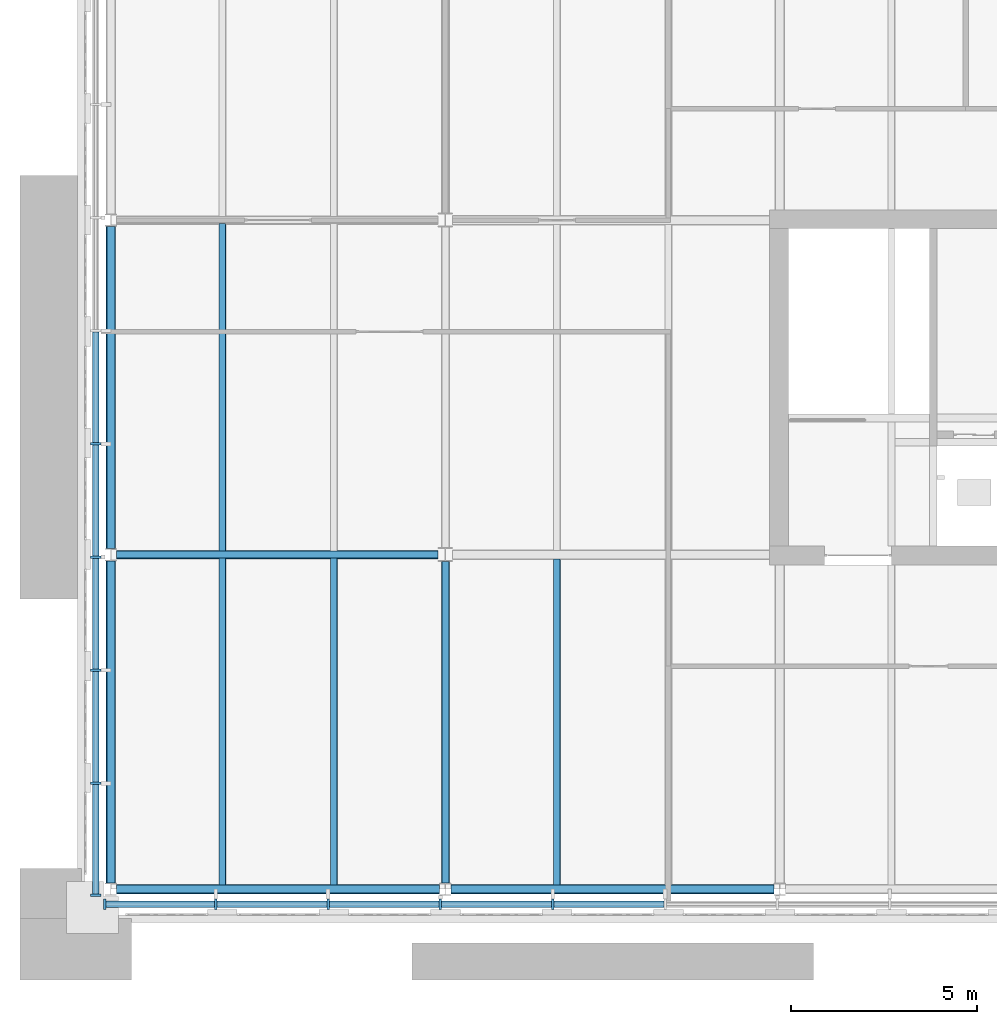
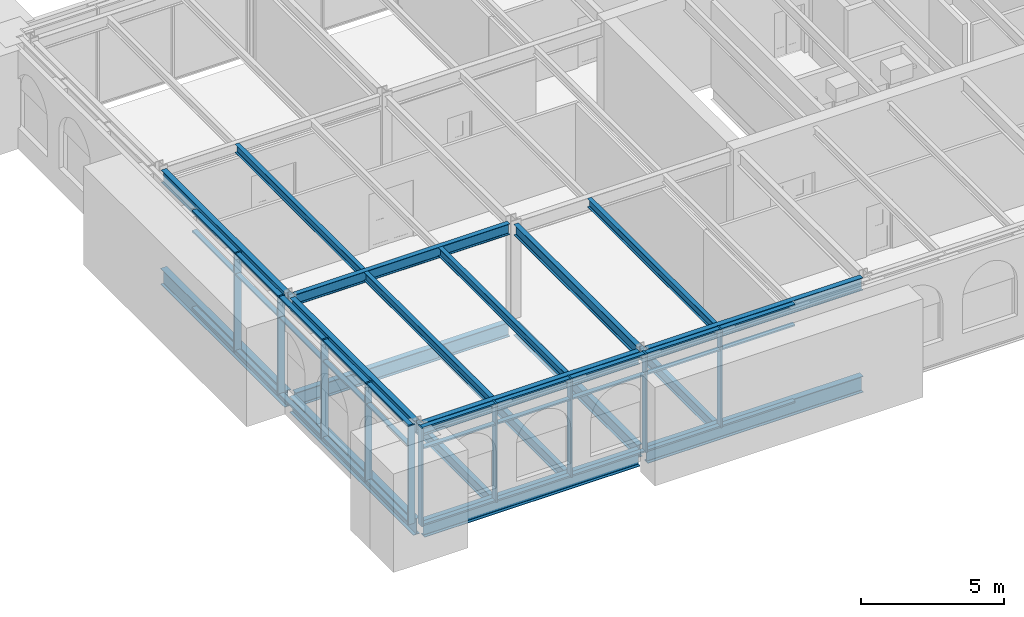
# One storey, part 3 of 24: 40 members, 20 beams, 2 elements without a shape of their own.
"""IFC4 building model written with IfcOpenShell, lengths in metres."""

from ifc_helpers import new_model, si_unit, direction, frame, origin, origin_2d, place, context, subcontext, project, spatial, rectangle, i_section, extrude, material, material_profile, profile_set, type_object, element, aggregate, save


model = new_model("IFC4")

# Units and contexts
model_context = context("Model", 3, precision=1e-05, world=origin(), true_north=direction((0.0, 1.0)))
body_context = subcontext(model_context, "Body", "Model", "MODEL_VIEW")
ifc_project = project(units=[si_unit("LENGTHUNIT", "METRE"), si_unit("AREAUNIT", "SQUARE_METRE"), si_unit("VOLUMEUNIT", "CUBIC_METRE"), si_unit("PLANEANGLEUNIT", "RADIAN"), si_unit("MASSUNIT", "GRAM", prefix="KILO")], contexts=[model_context])

# Site, building, storey
site_placement = place(None, origin())
site = spatial("IfcSite", under=ifc_project, at=site_placement, CompositionType="ELEMENT")
building_placement = place(site_placement, origin())
building = spatial("IfcBuilding", under=site, at=building_placement, Name="Baradari Gate Terminus", CompositionType="ELEMENT")
storey_placement = place(building_placement, frame((0.0, 0.0, 32.699951171875)))
storey = spatial("IfcBuildingStorey", under=building, at=storey_placement, Name="L07", CompositionType="ELEMENT", Elevation=32.699951171875)

# Curtain wall, members
ifc_material_1 = material(Name="Aluminium 6063-T6", Category="aluminium")
curtain_wall_type = type_object("IfcCurtainWallType", Name="Curtain wall CW-12 block arcade floors, L06-L07", PredefinedType="NOTDEFINED", material=ifc_material_1)
curtain_wall_1_placement = place(storey_placement, origin())
curtain_wall_1 = element("IfcCurtainWall", 1, at=curtain_wall_1_placement, inside=storey, type_object=curtain_wall_type, Name="Curtain wall CW-12 Operations block S face L07", PredefinedType="NOTDEFINED")
ifc_material_2 = material(Name="Aluminium 6063-T6", Category="aluminium")
ifc_material_profile_1 = material_profile(ifc_material_2, rectangle(XDim=0.27490234375, YDim=0.06494140625, at=origin_2d()), Name="CM-12 65X275")
ifc_profile_set_1 = profile_set([ifc_material_profile_1], Name="Aluminium 6063-T6")
member_type_1 = type_object("IfcMemberType", Name="Curtain wall mullion CM-12 65x275", PredefinedType="MULLION", material=ifc_profile_set_1)
member_1_placement = place(storey_placement, frame((8.83251953125, 116.592529296875, 0.0), z_axis=(0.0, 0.0, 1.0), x_axis=(0.0, 1.0, 0.0)))
member_1 = element("IfcMember", 2, at=member_1_placement, type_object=member_type_1, Name="CW-12 mullion 1", PredefinedType="MULLION", context=body_context, shape_type="SweptSolid", body=[
    extrude(rectangle(XDim=0.27490234375, YDim=0.06494140625, at=origin_2d()), origin(), (0.0, 0.0, 1.0), 4.199951171875),
])
member_2_placement = place(storey_placement, frame((11.822265625, 116.592529296875, 0.0), z_axis=(0.0, 0.0, 1.0), x_axis=(0.0, 1.0, 0.0)))
member_2 = element("IfcMember", 3, at=member_2_placement, type_object=member_type_1, Name="CW-12 mullion 2", PredefinedType="MULLION", context=body_context, shape_type="SweptSolid", body=[
    extrude(rectangle(XDim=0.27490234375, YDim=0.06494140625, at=origin_2d()), origin(), (0.0, 0.0, 1.0), 4.199951171875),
])
member_3_placement = place(storey_placement, frame((14.844482421875, 116.592529296875, 0.0), z_axis=(0.0, 0.0, 1.0), x_axis=(0.0, 1.0, 0.0)))
member_3 = element("IfcMember", 4, at=member_3_placement, type_object=member_type_1, Name="CW-12 mullion 3", PredefinedType="MULLION", context=body_context, shape_type="SweptSolid", body=[
    extrude(rectangle(XDim=0.27490234375, YDim=0.06494140625, at=origin_2d()), origin(), (0.0, 0.0, 1.0), 4.199951171875),
])
member_4_placement = place(storey_placement, frame((17.86669921875, 116.592529296875, 0.0), z_axis=(0.0, 0.0, 1.0), x_axis=(0.0, 1.0, 0.0)))
member_4 = element("IfcMember", 5, at=member_4_placement, type_object=member_type_1, Name="CW-12 mullion 4", PredefinedType="MULLION", context=body_context, shape_type="SweptSolid", body=[
    extrude(rectangle(XDim=0.27490234375, YDim=0.06494140625, at=origin_2d()), origin(), (0.0, 0.0, 1.0), 4.199951171875),
])
member_5_placement = place(storey_placement, frame((20.888916015625, 116.592529296875, 0.0), z_axis=(0.0, 0.0, 1.0), x_axis=(0.0, 1.0, 0.0)))
member_5 = element("IfcMember", 6, at=member_5_placement, type_object=member_type_1, Name="CW-12 mullion 5", PredefinedType="MULLION", context=body_context, shape_type="SweptSolid", body=[
    extrude(rectangle(XDim=0.27490234375, YDim=0.06494140625, at=origin_2d()), origin(), (0.0, 0.0, 1.0), 4.199951171875),
])

curtain_wall_2_placement = place(storey_placement, origin())
curtain_wall_2 = element("IfcCurtainWall", 7, at=curtain_wall_2_placement, inside=storey, type_object=curtain_wall_type, Name="Curtain wall CW-12 Operations block W face L07", PredefinedType="NOTDEFINED")
member_6_placement = place(storey_placement, frame((8.592529296875, 128.977783203125, 0.0), z_axis=(0.0, 0.0, 1.0), x_axis=(1.0, 0.0, 0.0)))
member_6 = element("IfcMember", 8, at=member_6_placement, type_object=member_type_1, Name="CW-12 mullion 6", PredefinedType="MULLION", context=body_context, shape_type="SweptSolid", body=[
    extrude(rectangle(XDim=0.27490234375, YDim=0.06494140625, at=origin_2d()), origin(), (0.0, 0.0, 1.0), 4.199951171875),
])
member_7_placement = place(storey_placement, frame((8.592529296875, 125.933349609375, 0.0), z_axis=(0.0, 0.0, 1.0), x_axis=(1.0, 0.0, 0.0)))
member_7 = element("IfcMember", 9, at=member_7_placement, type_object=member_type_1, Name="CW-12 mullion 7", PredefinedType="MULLION", context=body_context, shape_type="SweptSolid", body=[
    extrude(rectangle(XDim=0.27490234375, YDim=0.06494140625, at=origin_2d()), origin(), (0.0, 0.0, 1.0), 4.199951171875),
])
member_8_placement = place(storey_placement, frame((8.592529296875, 122.888916015625, 0.0), z_axis=(0.0, 0.0, 1.0), x_axis=(1.0, 0.0, 0.0)))
member_8 = element("IfcMember", 10, at=member_8_placement, type_object=member_type_1, Name="CW-12 mullion 8", PredefinedType="MULLION", context=body_context, shape_type="SweptSolid", body=[
    extrude(rectangle(XDim=0.27490234375, YDim=0.06494140625, at=origin_2d()), origin(), (0.0, 0.0, 1.0), 4.199951171875),
])
member_9_placement = place(storey_placement, frame((8.592529296875, 119.844482421875, 0.0), z_axis=(0.0, 0.0, 1.0), x_axis=(1.0, 0.0, 0.0)))
member_9 = element("IfcMember", 11, at=member_9_placement, type_object=member_type_1, Name="CW-12 mullion 9", PredefinedType="MULLION", context=body_context, shape_type="SweptSolid", body=[
    extrude(rectangle(XDim=0.27490234375, YDim=0.06494140625, at=origin_2d()), origin(), (0.0, 0.0, 1.0), 4.199951171875),
])
member_10_placement = place(storey_placement, frame((8.592529296875, 116.83251953125, 0.0), z_axis=(0.0, 0.0, 1.0), x_axis=(1.0, 0.0, 0.0)))
member_10 = element("IfcMember", 12, at=member_10_placement, type_object=member_type_1, Name="CW-12 mullion 10", PredefinedType="MULLION", context=body_context, shape_type="SweptSolid", body=[
    extrude(rectangle(XDim=0.27490234375, YDim=0.06494140625, at=origin_2d()), origin(), (0.0, 0.0, 1.0), 4.199951171875),
])

# Member
ifc_material_3 = material(Name="Aluminium 6063-T6", Category="aluminium")
ifc_material_profile_2 = material_profile(ifc_material_3, rectangle(XDim=0.18505859375, YDim=0.06494140625, at=origin_2d()), Name="CT-12 65X185")
ifc_profile_set_2 = profile_set([ifc_material_profile_2], Name="Aluminium 6063-T6")
member_type_2 = type_object("IfcMemberType", Name="Curtain wall transom CT-12 65x185", PredefinedType="USERDEFINED", material=ifc_profile_set_2)
member_11_placement = place(storey_placement, frame((8.864990234375, 116.592529296875, 0.032470703125), z_axis=(1.0, 0.0, 0.0), x_axis=(0.0, 1.0, 0.0)))
member_11 = element("IfcMember", 13, at=member_11_placement, type_object=member_type_2, Name="CW-12 transom 1.1", ObjectType="TRANSOM", PredefinedType="USERDEFINED", context=body_context, shape_type="SweptSolid", body=[
    extrude(rectangle(XDim=0.18505859375, YDim=0.06494140625, at=origin_2d()), origin(), (0.0, 0.0, 1.0), 2.9248046875),
])

member_12_placement = place(storey_placement, frame((8.864990234375, 116.592529296875, 3.300048828125), z_axis=(1.0, 0.0, 0.0), x_axis=(0.0, 1.0, 0.0)))
member_12 = element("IfcMember", 14, at=member_12_placement, type_object=member_type_2, Name="CW-12 transom 1.2", ObjectType="TRANSOM", PredefinedType="USERDEFINED", context=body_context, shape_type="SweptSolid", body=[
    extrude(rectangle(XDim=0.18505859375, YDim=0.06494140625, at=origin_2d()), origin(), (0.0, 0.0, 1.0), 2.9248046875),
])

member_13_placement = place(storey_placement, frame((8.864990234375, 116.592529296875, 4.16748046875), z_axis=(1.0, 0.0, 0.0), x_axis=(0.0, 1.0, 0.0)))
member_13 = element("IfcMember", 15, at=member_13_placement, type_object=member_type_2, Name="CW-12 transom 1.3", ObjectType="TRANSOM", PredefinedType="USERDEFINED", context=body_context, shape_type="SweptSolid", body=[
    extrude(rectangle(XDim=0.18505859375, YDim=0.06494140625, at=origin_2d()), origin(), (0.0, 0.0, 1.0), 2.9248046875),
])

member_14_placement = place(storey_placement, frame((11.854736328125, 116.592529296875, 0.032470703125), z_axis=(1.0, 0.0, 0.0), x_axis=(0.0, 1.0, 0.0)))
member_14 = element("IfcMember", 16, at=member_14_placement, type_object=member_type_2, Name="CW-12 transom 2.1", ObjectType="TRANSOM", PredefinedType="USERDEFINED", context=body_context, shape_type="SweptSolid", body=[
    extrude(rectangle(XDim=0.18505859375, YDim=0.06494140625, at=origin_2d()), origin(), (0.0, 0.0, 1.0), 2.957275390625),
])

member_15_placement = place(storey_placement, frame((11.854736328125, 116.592529296875, 3.300048828125), z_axis=(1.0, 0.0, 0.0), x_axis=(0.0, 1.0, 0.0)))
member_15 = element("IfcMember", 17, at=member_15_placement, type_object=member_type_2, Name="CW-12 transom 2.2", ObjectType="TRANSOM", PredefinedType="USERDEFINED", context=body_context, shape_type="SweptSolid", body=[
    extrude(rectangle(XDim=0.18505859375, YDim=0.06494140625, at=origin_2d()), origin(), (0.0, 0.0, 1.0), 2.957275390625),
])

member_16_placement = place(storey_placement, frame((11.854736328125, 116.592529296875, 4.16748046875), z_axis=(1.0, 0.0, 0.0), x_axis=(0.0, 1.0, 0.0)))
member_16 = element("IfcMember", 18, at=member_16_placement, type_object=member_type_2, Name="CW-12 transom 2.3", ObjectType="TRANSOM", PredefinedType="USERDEFINED", context=body_context, shape_type="SweptSolid", body=[
    extrude(rectangle(XDim=0.18505859375, YDim=0.06494140625, at=origin_2d()), origin(), (0.0, 0.0, 1.0), 2.957275390625),
])

member_17_placement = place(storey_placement, frame((14.876953125, 116.592529296875, 0.032470703125), z_axis=(1.0, 0.0, 0.0), x_axis=(0.0, 1.0, 0.0)))
member_17 = element("IfcMember", 19, at=member_17_placement, type_object=member_type_2, Name="CW-12 transom 3.1", ObjectType="TRANSOM", PredefinedType="USERDEFINED", context=body_context, shape_type="SweptSolid", body=[
    extrude(rectangle(XDim=0.18505859375, YDim=0.06494140625, at=origin_2d()), origin(), (0.0, 0.0, 1.0), 2.957275390625),
])

member_18_placement = place(storey_placement, frame((14.876953125, 116.592529296875, 3.300048828125), z_axis=(1.0, 0.0, 0.0), x_axis=(0.0, 1.0, 0.0)))
member_18 = element("IfcMember", 20, at=member_18_placement, type_object=member_type_2, Name="CW-12 transom 3.2", ObjectType="TRANSOM", PredefinedType="USERDEFINED", context=body_context, shape_type="SweptSolid", body=[
    extrude(rectangle(XDim=0.18505859375, YDim=0.06494140625, at=origin_2d()), origin(), (0.0, 0.0, 1.0), 2.957275390625),
])

member_19_placement = place(storey_placement, frame((14.876953125, 116.592529296875, 4.16748046875), z_axis=(1.0, 0.0, 0.0), x_axis=(0.0, 1.0, 0.0)))
member_19 = element("IfcMember", 21, at=member_19_placement, type_object=member_type_2, Name="CW-12 transom 3.3", ObjectType="TRANSOM", PredefinedType="USERDEFINED", context=body_context, shape_type="SweptSolid", body=[
    extrude(rectangle(XDim=0.18505859375, YDim=0.06494140625, at=origin_2d()), origin(), (0.0, 0.0, 1.0), 2.957275390625),
])

member_20_placement = place(storey_placement, frame((17.899169921875, 116.592529296875, 0.032470703125), z_axis=(1.0, 0.0, 0.0), x_axis=(0.0, 1.0, 0.0)))
member_20 = element("IfcMember", 22, at=member_20_placement, type_object=member_type_2, Name="CW-12 transom 4.1", ObjectType="TRANSOM", PredefinedType="USERDEFINED", context=body_context, shape_type="SweptSolid", body=[
    extrude(rectangle(XDim=0.18505859375, YDim=0.06494140625, at=origin_2d()), origin(), (0.0, 0.0, 1.0), 2.957275390625),
])

member_21_placement = place(storey_placement, frame((17.899169921875, 116.592529296875, 3.300048828125), z_axis=(1.0, 0.0, 0.0), x_axis=(0.0, 1.0, 0.0)))
member_21 = element("IfcMember", 23, at=member_21_placement, type_object=member_type_2, Name="CW-12 transom 4.2", ObjectType="TRANSOM", PredefinedType="USERDEFINED", context=body_context, shape_type="SweptSolid", body=[
    extrude(rectangle(XDim=0.18505859375, YDim=0.06494140625, at=origin_2d()), origin(), (0.0, 0.0, 1.0), 2.957275390625),
])

member_22_placement = place(storey_placement, frame((17.899169921875, 116.592529296875, 4.16748046875), z_axis=(1.0, 0.0, 0.0), x_axis=(0.0, 1.0, 0.0)))
member_22 = element("IfcMember", 24, at=member_22_placement, type_object=member_type_2, Name="CW-12 transom 4.3", ObjectType="TRANSOM", PredefinedType="USERDEFINED", context=body_context, shape_type="SweptSolid", body=[
    extrude(rectangle(XDim=0.18505859375, YDim=0.06494140625, at=origin_2d()), origin(), (0.0, 0.0, 1.0), 2.957275390625),
])

member_23_placement = place(storey_placement, frame((20.92138671875, 116.592529296875, 0.032470703125), z_axis=(1.0, 0.0, 0.0), x_axis=(0.0, 1.0, 0.0)))
member_23 = element("IfcMember", 25, at=member_23_placement, type_object=member_type_2, Name="CW-12 transom 5.1", ObjectType="TRANSOM", PredefinedType="USERDEFINED", context=body_context, shape_type="SweptSolid", body=[
    extrude(rectangle(XDim=0.18505859375, YDim=0.06494140625, at=origin_2d()), origin(), (0.0, 0.0, 1.0), 2.957275390625),
])

member_24_placement = place(storey_placement, frame((20.92138671875, 116.592529296875, 3.300048828125), z_axis=(1.0, 0.0, 0.0), x_axis=(0.0, 1.0, 0.0)))
member_24 = element("IfcMember", 26, at=member_24_placement, type_object=member_type_2, Name="CW-12 transom 5.2", ObjectType="TRANSOM", PredefinedType="USERDEFINED", context=body_context, shape_type="SweptSolid", body=[
    extrude(rectangle(XDim=0.18505859375, YDim=0.06494140625, at=origin_2d()), origin(), (0.0, 0.0, 1.0), 2.957275390625),
])

member_25_placement = place(storey_placement, frame((20.92138671875, 116.592529296875, 4.16748046875), z_axis=(1.0, 0.0, 0.0), x_axis=(0.0, 1.0, 0.0)))
member_25 = element("IfcMember", 27, at=member_25_placement, type_object=member_type_2, Name="CW-12 transom 5.3", ObjectType="TRANSOM", PredefinedType="USERDEFINED", context=body_context, shape_type="SweptSolid", body=[
    extrude(rectangle(XDim=0.18505859375, YDim=0.06494140625, at=origin_2d()), origin(), (0.0, 0.0, 1.0), 2.957275390625),
])

aggregate(curtain_wall_1, [member_1, member_2, member_3, member_4, member_5, member_11, member_12, member_13, member_14, member_15, member_16, member_17, member_18, member_19, member_20, member_21, member_22, member_23, member_24, member_25])

member_26_placement = place(storey_placement, frame((8.592529296875, 131.98974609375, 0.032470703125), z_axis=(0.0, -1.0, 0.0), x_axis=(1.0, 0.0, 0.0)))
member_26 = element("IfcMember", 28, at=member_26_placement, type_object=member_type_2, Name="CW-12 transom 5.1", ObjectType="TRANSOM", PredefinedType="USERDEFINED", context=body_context, shape_type="SweptSolid", body=[
    extrude(rectangle(XDim=0.18505859375, YDim=0.06494140625, at=origin_2d()), origin(), (0.0, 0.0, 1.0), 2.9794921875),
])

member_27_placement = place(storey_placement, frame((8.592529296875, 131.98974609375, 3.300048828125), z_axis=(0.0, -1.0, 0.0), x_axis=(1.0, 0.0, 0.0)))
member_27 = element("IfcMember", 29, at=member_27_placement, type_object=member_type_2, Name="CW-12 transom 5.2", ObjectType="TRANSOM", PredefinedType="USERDEFINED", context=body_context, shape_type="SweptSolid", body=[
    extrude(rectangle(XDim=0.18505859375, YDim=0.06494140625, at=origin_2d()), origin(), (0.0, 0.0, 1.0), 2.9794921875),
])

member_28_placement = place(storey_placement, frame((8.592529296875, 131.98974609375, 4.16748046875), z_axis=(0.0, -1.0, 0.0), x_axis=(1.0, 0.0, 0.0)))
member_28 = element("IfcMember", 30, at=member_28_placement, type_object=member_type_2, Name="CW-12 transom 5.3", ObjectType="TRANSOM", PredefinedType="USERDEFINED", context=body_context, shape_type="SweptSolid", body=[
    extrude(rectangle(XDim=0.18505859375, YDim=0.06494140625, at=origin_2d()), origin(), (0.0, 0.0, 1.0), 2.9794921875),
])

member_29_placement = place(storey_placement, frame((8.592529296875, 128.9453125, 0.032470703125), z_axis=(0.0, -1.0, 0.0), x_axis=(1.0, 0.0, 0.0)))
member_29 = element("IfcMember", 31, at=member_29_placement, type_object=member_type_2, Name="CW-12 transom 6.1", ObjectType="TRANSOM", PredefinedType="USERDEFINED", context=body_context, shape_type="SweptSolid", body=[
    extrude(rectangle(XDim=0.18505859375, YDim=0.06494140625, at=origin_2d()), origin(), (0.0, 0.0, 1.0), 2.9794921875),
])

member_30_placement = place(storey_placement, frame((8.592529296875, 128.9453125, 3.300048828125), z_axis=(0.0, -1.0, 0.0), x_axis=(1.0, 0.0, 0.0)))
member_30 = element("IfcMember", 32, at=member_30_placement, type_object=member_type_2, Name="CW-12 transom 6.2", ObjectType="TRANSOM", PredefinedType="USERDEFINED", context=body_context, shape_type="SweptSolid", body=[
    extrude(rectangle(XDim=0.18505859375, YDim=0.06494140625, at=origin_2d()), origin(), (0.0, 0.0, 1.0), 2.9794921875),
])

member_31_placement = place(storey_placement, frame((8.592529296875, 128.9453125, 4.16748046875), z_axis=(0.0, -1.0, 0.0), x_axis=(1.0, 0.0, 0.0)))
member_31 = element("IfcMember", 33, at=member_31_placement, type_object=member_type_2, Name="CW-12 transom 6.3", ObjectType="TRANSOM", PredefinedType="USERDEFINED", context=body_context, shape_type="SweptSolid", body=[
    extrude(rectangle(XDim=0.18505859375, YDim=0.06494140625, at=origin_2d()), origin(), (0.0, 0.0, 1.0), 2.9794921875),
])

member_32_placement = place(storey_placement, frame((8.592529296875, 125.90087890625, 0.032470703125), z_axis=(0.0, -1.0, 0.0), x_axis=(1.0, 0.0, 0.0)))
member_32 = element("IfcMember", 34, at=member_32_placement, type_object=member_type_2, Name="CW-12 transom 7.1", ObjectType="TRANSOM", PredefinedType="USERDEFINED", context=body_context, shape_type="SweptSolid", body=[
    extrude(rectangle(XDim=0.18505859375, YDim=0.06494140625, at=origin_2d()), origin(), (0.0, 0.0, 1.0), 2.9794921875),
])

member_33_placement = place(storey_placement, frame((8.592529296875, 125.90087890625, 3.300048828125), z_axis=(0.0, -1.0, 0.0), x_axis=(1.0, 0.0, 0.0)))
member_33 = element("IfcMember", 35, at=member_33_placement, type_object=member_type_2, Name="CW-12 transom 7.2", ObjectType="TRANSOM", PredefinedType="USERDEFINED", context=body_context, shape_type="SweptSolid", body=[
    extrude(rectangle(XDim=0.18505859375, YDim=0.06494140625, at=origin_2d()), origin(), (0.0, 0.0, 1.0), 2.9794921875),
])

member_34_placement = place(storey_placement, frame((8.592529296875, 125.90087890625, 4.16748046875), z_axis=(0.0, -1.0, 0.0), x_axis=(1.0, 0.0, 0.0)))
member_34 = element("IfcMember", 36, at=member_34_placement, type_object=member_type_2, Name="CW-12 transom 7.3", ObjectType="TRANSOM", PredefinedType="USERDEFINED", context=body_context, shape_type="SweptSolid", body=[
    extrude(rectangle(XDim=0.18505859375, YDim=0.06494140625, at=origin_2d()), origin(), (0.0, 0.0, 1.0), 2.9794921875),
])

member_35_placement = place(storey_placement, frame((8.592529296875, 122.8564453125, 0.032470703125), z_axis=(0.0, -1.0, 0.0), x_axis=(1.0, 0.0, 0.0)))
member_35 = element("IfcMember", 37, at=member_35_placement, type_object=member_type_2, Name="CW-12 transom 8.1", ObjectType="TRANSOM", PredefinedType="USERDEFINED", context=body_context, shape_type="SweptSolid", body=[
    extrude(rectangle(XDim=0.18505859375, YDim=0.06494140625, at=origin_2d()), origin(), (0.0, 0.0, 1.0), 2.9794921875),
])

member_36_placement = place(storey_placement, frame((8.592529296875, 122.8564453125, 3.300048828125), z_axis=(0.0, -1.0, 0.0), x_axis=(1.0, 0.0, 0.0)))
member_36 = element("IfcMember", 38, at=member_36_placement, type_object=member_type_2, Name="CW-12 transom 8.2", ObjectType="TRANSOM", PredefinedType="USERDEFINED", context=body_context, shape_type="SweptSolid", body=[
    extrude(rectangle(XDim=0.18505859375, YDim=0.06494140625, at=origin_2d()), origin(), (0.0, 0.0, 1.0), 2.9794921875),
])

member_37_placement = place(storey_placement, frame((8.592529296875, 122.8564453125, 4.16748046875), z_axis=(0.0, -1.0, 0.0), x_axis=(1.0, 0.0, 0.0)))
member_37 = element("IfcMember", 39, at=member_37_placement, type_object=member_type_2, Name="CW-12 transom 8.3", ObjectType="TRANSOM", PredefinedType="USERDEFINED", context=body_context, shape_type="SweptSolid", body=[
    extrude(rectangle(XDim=0.18505859375, YDim=0.06494140625, at=origin_2d()), origin(), (0.0, 0.0, 1.0), 2.9794921875),
])

member_38_placement = place(storey_placement, frame((8.592529296875, 119.81201171875, 0.032470703125), z_axis=(0.0, -1.0, 0.0), x_axis=(1.0, 0.0, 0.0)))
member_38 = element("IfcMember", 40, at=member_38_placement, type_object=member_type_2, Name="CW-12 transom 9.1", ObjectType="TRANSOM", PredefinedType="USERDEFINED", context=body_context, shape_type="SweptSolid", body=[
    extrude(rectangle(XDim=0.18505859375, YDim=0.06494140625, at=origin_2d()), origin(), (0.0, 0.0, 1.0), 2.947021484375),
])

member_39_placement = place(storey_placement, frame((8.592529296875, 119.81201171875, 3.300048828125), z_axis=(0.0, -1.0, 0.0), x_axis=(1.0, 0.0, 0.0)))
member_39 = element("IfcMember", 41, at=member_39_placement, type_object=member_type_2, Name="CW-12 transom 9.2", ObjectType="TRANSOM", PredefinedType="USERDEFINED", context=body_context, shape_type="SweptSolid", body=[
    extrude(rectangle(XDim=0.18505859375, YDim=0.06494140625, at=origin_2d()), origin(), (0.0, 0.0, 1.0), 2.947021484375),
])

member_40_placement = place(storey_placement, frame((8.592529296875, 119.81201171875, 4.16748046875), z_axis=(0.0, -1.0, 0.0), x_axis=(1.0, 0.0, 0.0)))
member_40 = element("IfcMember", 42, at=member_40_placement, type_object=member_type_2, Name="CW-12 transom 9.3", ObjectType="TRANSOM", PredefinedType="USERDEFINED", context=body_context, shape_type="SweptSolid", body=[
    extrude(rectangle(XDim=0.18505859375, YDim=0.06494140625, at=origin_2d()), origin(), (0.0, 0.0, 1.0), 2.947021484375),
])

aggregate(curtain_wall_2, [member_6, member_7, member_8, member_9, member_10, member_26, member_27, member_28, member_29, member_30, member_31, member_32, member_33, member_34, member_35, member_36, member_37, member_38, member_39, member_40])

# Beams
ifc_material_4 = material(Name="Steel S355", Category="steel")
ifc_material_profile_3 = material_profile(ifc_material_4, i_section(OverallWidth=0.22900390625, OverallDepth=0.6123046875, WebThickness=0.011962890625, FlangeThickness=0.01953125, FilletRadius=0.0126953125, at=origin_2d()), Name="UB 610x229x125")
ifc_profile_set_3 = profile_set([ifc_material_profile_3], Name="Steel S355")
beam_type_1 = type_object("IfcBeamType", Name="Operations block girder B25 UB 610x229x125", PredefinedType="BEAM", material=ifc_profile_set_3)
beam_1_placement = place(storey_placement, frame((9.1572265625, 126.0, -0.43603515625), z_axis=(1.0, 0.0, 0.0), x_axis=(0.0, 1.0, 0.0)))
element("IfcBeam", 43, at=beam_1_placement, inside=storey, type_object=beam_type_1, Name="Operations block girder B25 Q:9.157-17.803 L07", PredefinedType="BEAM", context=body_context, shape_type="SweptSolid", body=[
    extrude(i_section(OverallWidth=0.22900390625, OverallDepth=0.6123046875, WebThickness=0.011962890625, FlangeThickness=0.01953125, FilletRadius=0.0126953125, at=origin_2d()), origin(), (0.0, 0.0, 1.0), 8.645263671875),
])
ifc_material_5 = material(Name="Steel S355", Category="steel")
ifc_material_profile_4 = material_profile(ifc_material_5, i_section(OverallWidth=0.210693359375, OverallDepth=0.53955078125, WebThickness=0.01171875, FlangeThickness=0.018798828125, FilletRadius=0.0126953125, at=origin_2d()), Name="UB 533x210x109")
ifc_profile_set_4 = profile_set([ifc_material_profile_4], Name="Steel S355")
beam_type_2 = type_object("IfcBeamType", Name="Operations block girder B29 UB 533x210x109", PredefinedType="BEAM", material=ifc_profile_set_4)
beam_2_placement = place(storey_placement, frame((18.0, 117.169921875, -0.399658203125), z_axis=(0.0, 1.0, 0.0), x_axis=(-1.0, 0.0, 0.0)))
element("IfcBeam", 44, at=beam_2_placement, inside=storey, type_object=beam_type_2, Name="Operations block girder B29 3:117.17-125.809 L07", PredefinedType="BEAM", context=body_context, shape_type="SweptSolid", body=[
    extrude(i_section(OverallWidth=0.210693359375, OverallDepth=0.53955078125, WebThickness=0.01171875, FlangeThickness=0.018798828125, FilletRadius=0.0126953125, at=origin_2d()), origin(), (0.0, 0.0, 1.0), 8.6396484375),
])
ifc_material_6 = material(Name="Steel S355", Category="steel")
ifc_material_profile_5 = material_profile(ifc_material_6, i_section(OverallWidth=0.25439453125, OverallDepth=0.6875, WebThickness=0.01318359375, FlangeThickness=0.02099609375, FilletRadius=0.01513671875, at=origin_2d()), Name="UB 686x254x152")
ifc_profile_set_5 = profile_set([ifc_material_profile_5], Name="Steel S355")
beam_type_3 = type_object("IfcBeamType", Name="Operations block moment frame beam B32 UB 686x254x152", PredefinedType="BEAM", material=ifc_profile_set_5)
for number, where, z_axis, x_axis, name in (
    (45, (9.1572265625, 117.0, -0.4736328125), (1.0, 0.0, 0.0), (0.0, 1.0, 0.0), "Operations block moment frame beam B32 P:9.157-17.843 L07"),
    (46, (18.1572265625, 117.0, -0.4736328125), (1.0, 0.0, 0.0), (0.0, 1.0, 0.0), "Operations block moment frame beam B32 P:18.157-26.843 L07"),
):
    element("IfcBeam", number, at=place(storey_placement, frame(where, z_axis=z_axis, x_axis=x_axis)), inside=storey, type_object=beam_type_3, Name=name, PredefinedType="BEAM", context=body_context, shape_type="SweptSolid", body=[
        extrude(i_section(OverallWidth=0.25439453125, OverallDepth=0.6875, WebThickness=0.01318359375, FlangeThickness=0.02099609375, FilletRadius=0.01513671875, at=origin_2d()), origin(), (0.0, 0.0, 1.0), 8.685546875),
    ])
for number, where, z_axis, x_axis, name in (
    (47, (9.0, 117.169921875, -0.4736328125), (0.0, 1.0, 0.0), (-1.0, 0.0, 0.0), "Operations block moment frame beam B32 2:117.17-125.83 L07"),
    (48, (9.0, 126.169921875, -0.4736328125), (0.0, 1.0, 0.0), (-1.0, 0.0, 0.0), "Operations block moment frame beam B32 2:126.17-134.83 L07"),
):
    element("IfcBeam", number, at=place(storey_placement, frame(where, z_axis=z_axis, x_axis=x_axis)), inside=storey, type_object=beam_type_3, Name=name, PredefinedType="BEAM", context=body_context, shape_type="SweptSolid", body=[
        extrude(i_section(OverallWidth=0.25439453125, OverallDepth=0.6875, WebThickness=0.01318359375, FlangeThickness=0.02099609375, FilletRadius=0.01513671875, at=origin_2d()), origin(), (0.0, 0.0, 1.0), 8.66015625),
    ])
ifc_material_7 = material(Name="Steel S355", Category="steel")
ifc_material_profile_6 = material_profile(ifc_material_7, i_section(OverallWidth=0.209228515625, OverallDepth=0.533203125, WebThickness=0.010009765625, FlangeThickness=0.015625, FilletRadius=0.0126953125, at=origin_2d()), Name="UB 533x210x92")
ifc_profile_set_6 = profile_set([ifc_material_profile_6], Name="Steel S355")
beam_type_4 = type_object("IfcBeamType", Name="Operations block roof edge beam B43 UB 533x210x92", PredefinedType="BEAM", material=ifc_profile_set_6)
for number, where, z_axis, x_axis, name in (
    (49, (9.1572265625, 117.0, 3.783447265625), (1.0, 0.0, 0.0), (0.0, 1.0, 0.0), "Operations block roof edge beam B43 P:9.157-17.843 L07"),
    (50, (18.1572265625, 117.0, 3.783447265625), (1.0, 0.0, 0.0), (0.0, 1.0, 0.0), "Operations block roof edge beam B43 P:18.157-26.843 L07"),
):
    element("IfcBeam", number, at=place(storey_placement, frame(where, z_axis=z_axis, x_axis=x_axis)), inside=storey, type_object=beam_type_4, Name=name, PredefinedType="BEAM", context=body_context, shape_type="SweptSolid", body=[
        extrude(i_section(OverallWidth=0.209228515625, OverallDepth=0.533203125, WebThickness=0.010009765625, FlangeThickness=0.015625, FilletRadius=0.0126953125, at=origin_2d()), origin(), (0.0, 0.0, 1.0), 8.685546875),
    ])
for number, where, z_axis, x_axis, name in (
    (51, (9.0, 117.169921875, 3.783447265625), (0.0, 1.0, 0.0), (-1.0, 0.0, 0.0), "Operations block roof edge beam B43 2:117.17-125.83 L07"),
    (52, (9.0, 126.169921875, 3.783447265625), (0.0, 1.0, 0.0), (-1.0, 0.0, 0.0), "Operations block roof edge beam B43 2:126.17-134.83 L07"),
):
    element("IfcBeam", number, at=place(storey_placement, frame(where, z_axis=z_axis, x_axis=x_axis)), inside=storey, type_object=beam_type_4, Name=name, PredefinedType="BEAM", context=body_context, shape_type="SweptSolid", body=[
        extrude(i_section(OverallWidth=0.209228515625, OverallDepth=0.533203125, WebThickness=0.010009765625, FlangeThickness=0.015625, FilletRadius=0.0126953125, at=origin_2d()), origin(), (0.0, 0.0, 1.0), 8.66015625),
    ])
ifc_material_8 = material(Name="Steel S355", Category="steel")
ifc_material_profile_7 = material_profile(ifc_material_8, i_section(OverallWidth=0.19140625, OverallDepth=0.4599609375, WebThickness=0.010009765625, FlangeThickness=0.01611328125, FilletRadius=0.01025390625, at=origin_2d()), Name="UB 457x191x82")
ifc_profile_set_7 = profile_set([ifc_material_profile_7], Name="Steel S355")
beam_type_5 = type_object("IfcBeamType", Name="Operations block roof girder B44 UB 457x191x82", PredefinedType="BEAM", material=ifc_profile_set_7)
beam_3_placement = place(storey_placement, frame((9.1572265625, 126.0, 3.820068359375), z_axis=(1.0, 0.0, 0.0), x_axis=(0.0, 1.0, 0.0)))
element("IfcBeam", 53, at=beam_3_placement, inside=storey, type_object=beam_type_5, Name="Operations block roof girder B44 Q:9.157-17.803 L07", PredefinedType="BEAM", context=body_context, shape_type="SweptSolid", body=[
    extrude(i_section(OverallWidth=0.19140625, OverallDepth=0.4599609375, WebThickness=0.010009765625, FlangeThickness=0.01611328125, FilletRadius=0.01025390625, at=origin_2d()), origin(), (0.0, 0.0, 1.0), 8.645263671875),
])
beam_4_placement = place(storey_placement, frame((18.0, 117.169921875, 3.820068359375), z_axis=(0.0, 1.0, 0.0), x_axis=(-1.0, 0.0, 0.0)))
element("IfcBeam", 54, at=beam_4_placement, inside=storey, type_object=beam_type_5, Name="Operations block roof girder B44 3:117.17-125.809 L07", PredefinedType="BEAM", context=body_context, shape_type="SweptSolid", body=[
    extrude(i_section(OverallWidth=0.19140625, OverallDepth=0.4599609375, WebThickness=0.010009765625, FlangeThickness=0.01611328125, FilletRadius=0.01025390625, at=origin_2d()), origin(), (0.0, 0.0, 1.0), 8.6396484375),
])
ifc_material_9 = material(Name="Steel S355", Category="steel")
ifc_material_profile_8 = material_profile(ifc_material_9, i_section(OverallWidth=0.17138671875, OverallDepth=0.35498046875, WebThickness=0.00732421875, FlangeThickness=0.011474609375, FilletRadius=0.01025390625, at=origin_2d()), Name="UB 356x171x51")
ifc_profile_set_8 = profile_set([ifc_material_profile_8], Name="Steel S355")
beam_type_6 = type_object("IfcBeamType", Name="Operations block roof secondary beam B46 UB 356x171x51", PredefinedType="BEAM", material=ifc_profile_set_8)
beam_5_placement = place(storey_placement, frame((12.0, 117.104736328125, 3.87255859375), z_axis=(0.0, 1.0, 0.0), x_axis=(-1.0, 0.0, 0.0)))
element("IfcBeam", 55, at=beam_5_placement, inside=storey, type_object=beam_type_6, Name="Operations block roof secondary beam B46 12:117.105-125.904 L07", PredefinedType="BEAM", context=body_context, shape_type="SweptSolid", body=[
    extrude(i_section(OverallWidth=0.17138671875, OverallDepth=0.35498046875, WebThickness=0.00732421875, FlangeThickness=0.011474609375, FilletRadius=0.01025390625, at=origin_2d()), origin(), (0.0, 0.0, 1.0), 8.799560546875),
])
beam_6_placement = place(storey_placement, frame((12.0, 126.095703125, 3.87255859375), z_axis=(0.0, 1.0, 0.0), x_axis=(-1.0, 0.0, 0.0)))
element("IfcBeam", 56, at=beam_6_placement, inside=storey, type_object=beam_type_6, Name="Operations block roof secondary beam B46 12:126.096-134.904 L07", PredefinedType="BEAM", context=body_context, shape_type="SweptSolid", body=[
    extrude(i_section(OverallWidth=0.17138671875, OverallDepth=0.35498046875, WebThickness=0.00732421875, FlangeThickness=0.011474609375, FilletRadius=0.01025390625, at=origin_2d()), origin(), (0.0, 0.0, 1.0), 8.80859375),
])
beam_7_placement = place(storey_placement, frame((15.0, 117.104736328125, 3.87255859375), z_axis=(0.0, 1.0, 0.0), x_axis=(-1.0, 0.0, 0.0)))
element("IfcBeam", 57, at=beam_7_placement, inside=storey, type_object=beam_type_6, Name="Operations block roof secondary beam B46 15:117.105-125.904 L07", PredefinedType="BEAM", context=body_context, shape_type="SweptSolid", body=[
    extrude(i_section(OverallWidth=0.17138671875, OverallDepth=0.35498046875, WebThickness=0.00732421875, FlangeThickness=0.011474609375, FilletRadius=0.01025390625, at=origin_2d()), origin(), (0.0, 0.0, 1.0), 8.799560546875),
])
beam_8_placement = place(storey_placement, frame((21.0, 117.104736328125, 3.87255859375), z_axis=(0.0, 1.0, 0.0), x_axis=(-1.0, 0.0, 0.0)))
element("IfcBeam", 58, at=beam_8_placement, inside=storey, type_object=beam_type_6, Name="Operations block roof secondary beam B46 21:117.105-125.886 L07", PredefinedType="BEAM", context=body_context, shape_type="SweptSolid", body=[
    extrude(i_section(OverallWidth=0.17138671875, OverallDepth=0.35498046875, WebThickness=0.00732421875, FlangeThickness=0.011474609375, FilletRadius=0.01025390625, at=origin_2d()), origin(), (0.0, 0.0, 1.0), 8.781494140625),
])
ifc_material_10 = material(Name="Steel S355", Category="steel")
ifc_material_profile_9 = material_profile(ifc_material_10, i_section(OverallWidth=0.18994140625, OverallDepth=0.453369140625, WebThickness=0.008544921875, FlangeThickness=0.0126953125, FilletRadius=0.01025390625, at=origin_2d()), Name="UB 457x191x67")
ifc_profile_set_9 = profile_set([ifc_material_profile_9], Name="Steel S355")
beam_type_7 = type_object("IfcBeamType", Name="Operations block secondary beam B28 UB 457x191x67", PredefinedType="BEAM", material=ifc_profile_set_9)
beam_9_placement = place(storey_placement, frame((12.0, 117.127197265625, -0.356689453125), z_axis=(0.0, 1.0, 0.0), x_axis=(-1.0, 0.0, 0.0)))
element("IfcBeam", 59, at=beam_9_placement, inside=storey, type_object=beam_type_7, Name="Operations block secondary beam B28 12:117.127-125.885 L07", PredefinedType="BEAM", context=body_context, shape_type="SweptSolid", body=[
    extrude(i_section(OverallWidth=0.18994140625, OverallDepth=0.453369140625, WebThickness=0.008544921875, FlangeThickness=0.0126953125, FilletRadius=0.01025390625, at=origin_2d()), origin(), (0.0, 0.0, 1.0), 8.75830078125),
])
beam_10_placement = place(storey_placement, frame((12.0, 126.114501953125, -0.356689453125), z_axis=(0.0, 1.0, 0.0), x_axis=(-1.0, 0.0, 0.0)))
element("IfcBeam", 60, at=beam_10_placement, inside=storey, type_object=beam_type_7, Name="Operations block secondary beam B28 12:126.115-134.886 L07", PredefinedType="BEAM", context=body_context, shape_type="SweptSolid", body=[
    extrude(i_section(OverallWidth=0.18994140625, OverallDepth=0.453369140625, WebThickness=0.008544921875, FlangeThickness=0.0126953125, FilletRadius=0.01025390625, at=origin_2d()), origin(), (0.0, 0.0, 1.0), 8.77099609375),
])
beam_11_placement = place(storey_placement, frame((15.0, 117.127197265625, -0.356689453125), z_axis=(0.0, 1.0, 0.0), x_axis=(-1.0, 0.0, 0.0)))
element("IfcBeam", 61, at=beam_11_placement, inside=storey, type_object=beam_type_7, Name="Operations block secondary beam B28 15:117.127-125.885 L07", PredefinedType="BEAM", context=body_context, shape_type="SweptSolid", body=[
    extrude(i_section(OverallWidth=0.18994140625, OverallDepth=0.453369140625, WebThickness=0.008544921875, FlangeThickness=0.0126953125, FilletRadius=0.01025390625, at=origin_2d()), origin(), (0.0, 0.0, 1.0), 8.75830078125),
])
beam_12_placement = place(storey_placement, frame((21.0, 117.127197265625, -0.356689453125), z_axis=(0.0, 1.0, 0.0), x_axis=(-1.0, 0.0, 0.0)))
element("IfcBeam", 62, at=beam_12_placement, inside=storey, type_object=beam_type_7, Name="Operations block secondary beam B28 21:117.127-125.873 L07", PredefinedType="BEAM", context=body_context, shape_type="SweptSolid", body=[
    extrude(i_section(OverallWidth=0.18994140625, OverallDepth=0.453369140625, WebThickness=0.008544921875, FlangeThickness=0.0126953125, FilletRadius=0.01025390625, at=origin_2d()), origin(), (0.0, 0.0, 1.0), 8.74560546875),
])

save(model, "model.ifc")
